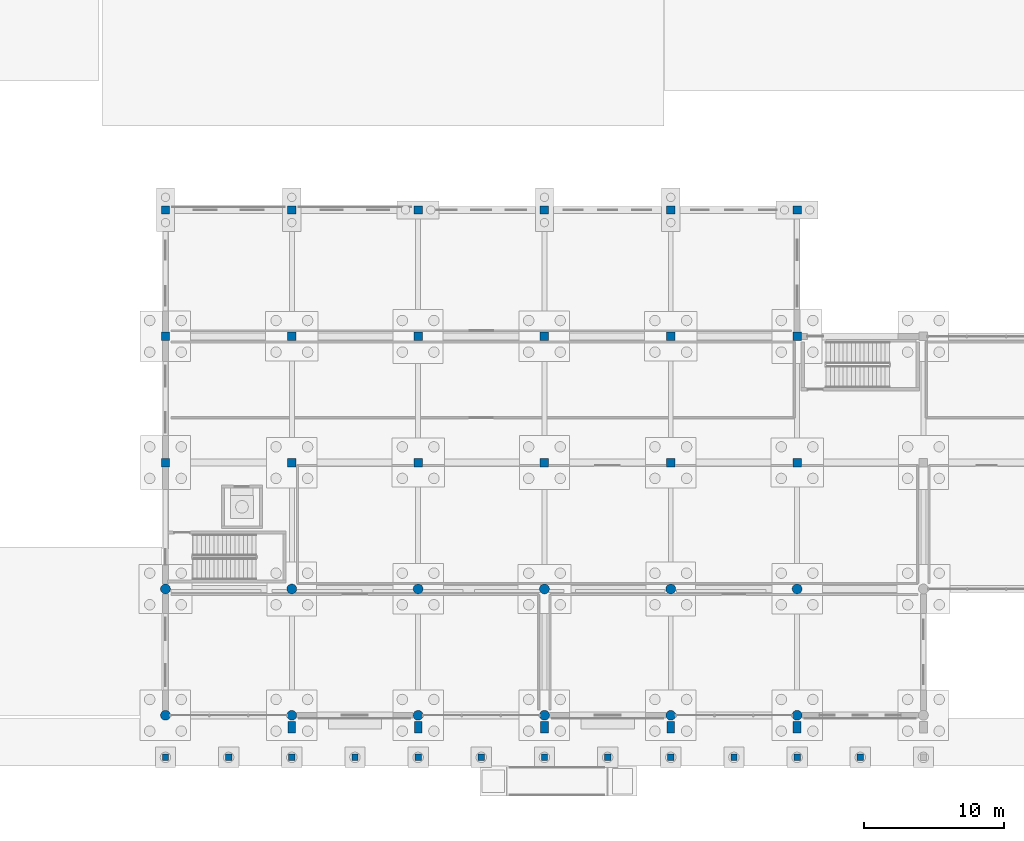
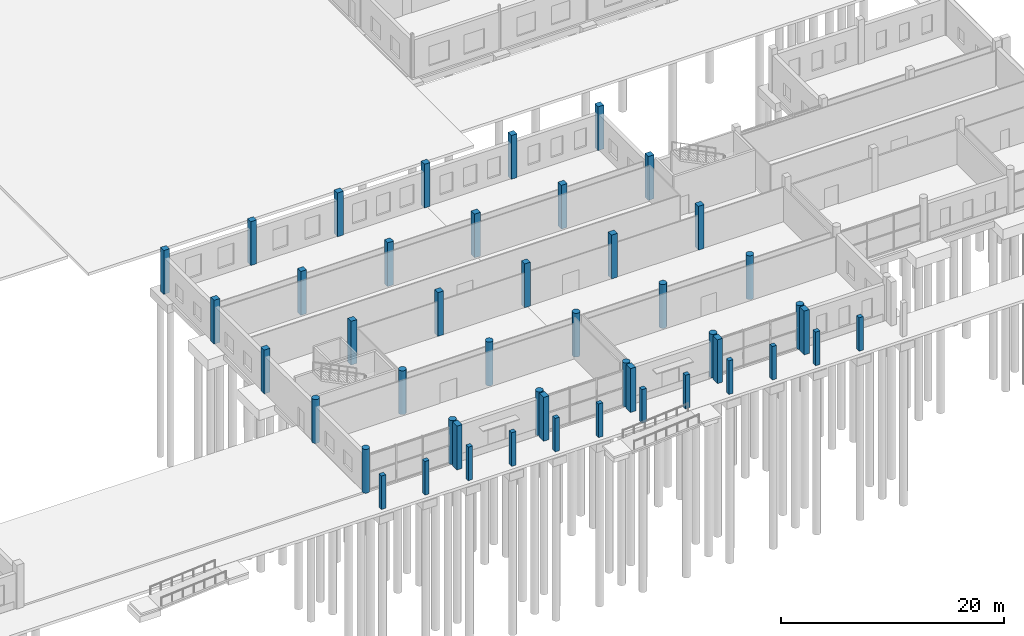
# One storey, part 30 of 112: 47 columns.
"""IFC4 building model written with IfcOpenShell, lengths in metres."""

from ifc_helpers import new_model, si_unit, direction, frame, origin, origin_2d, place, context, subcontext, project, spatial, rectangle, circle, extrude, material, material_profile, profile_set, type_object, element, save


model = new_model("IFC4")

# Units and contexts
model_context = context("Model", 3, precision=1e-05, world=origin(), true_north=direction((0.0, 1.0)))
body_context = subcontext(model_context, "Body", "Model", "MODEL_VIEW")
ifc_project = project(units=[si_unit("LENGTHUNIT", "METRE"), si_unit("AREAUNIT", "SQUARE_METRE"), si_unit("VOLUMEUNIT", "CUBIC_METRE"), si_unit("PLANEANGLEUNIT", "RADIAN"), si_unit("MASSUNIT", "GRAM", prefix="KILO")], contexts=[model_context])

# Site, building, storey
site_placement = place(None, origin())
site = spatial("IfcSite", under=ifc_project, at=site_placement, CompositionType="ELEMENT")
building_placement = place(site_placement, origin())
building = spatial("IfcBuilding", under=site, at=building_placement, Name="Tharagai Park Tramway Depot", CompositionType="ELEMENT")
storey_placement = place(building_placement, origin())
storey = spatial("IfcBuildingStorey", under=building, at=storey_placement, Name="L00", CompositionType="ELEMENT", Elevation=0.0)

# Columns
ifc_material = material(Name="Concrete M40", Category="concrete")
ifc_material_profile_1 = material_profile(ifc_material, circle(Radius=0.35009765625, at=origin_2d()), Name="RC D700")
ifc_profile_set_1 = profile_set([ifc_material_profile_1], Name="Concrete M40")
column_type_1 = type_object("IfcColumnType", Name="CL-03", PredefinedType="COLUMN", material=ifc_profile_set_1)
for number, where, z_axis, x_axis, name in (
    (1, (135.0, 0.0, 0.0), (0.0, 0.0, 1.0), (1.0, 0.0, 0.0), "L00 Structural Column CL-03 (135,0)"),
    (2, (135.0, 9.0, 0.0), (0.0, 0.0, 1.0), (1.0, 0.0, 0.0), "L00 Structural Column CL-03 (135,9)"),
    (3, (144.0, 0.0, 0.0), (0.0, 0.0, 1.0), (1.0, 0.0, 0.0), "L00 Structural Column CL-03 (144,0)"),
    (4, (144.0, 9.0, 0.0), (0.0, 0.0, 1.0), (1.0, 0.0, 0.0), "L00 Structural Column CL-03 (144,9)"),
    (5, (153.0, 0.0, 0.0), (0.0, 0.0, 1.0), (1.0, 0.0, 0.0), "L00 Structural Column CL-03 (153,0)"),
    (6, (153.0, 9.0, 0.0), (0.0, 0.0, 1.0), (1.0, 0.0, 0.0), "L00 Structural Column CL-03 (153,9)"),
    (7, (162.0, 0.0, 0.0), (0.0, 0.0, 1.0), (1.0, 0.0, 0.0), "L00 Structural Column CL-03 (162,0)"),
    (8, (162.0, 9.0, 0.0), (0.0, 0.0, 1.0), (1.0, 0.0, 0.0), "L00 Structural Column CL-03 (162,9)"),
    (9, (171.0, 0.0, 0.0), (0.0, 0.0, 1.0), (1.0, 0.0, 0.0), "L00 Structural Column CL-03 (171,0)"),
    (10, (171.0, 9.0, 0.0), (0.0, 0.0, 1.0), (1.0, 0.0, 0.0), "L00 Structural Column CL-03 (171,9)"),
    (11, (180.0, 0.0, 0.0), (0.0, 0.0, 1.0), (1.0, 0.0, 0.0), "L00 Structural Column CL-03 (180,0)"),
    (12, (180.0, 9.0, 0.0), (0.0, 0.0, 1.0), (1.0, 0.0, 0.0), "L00 Structural Column CL-03 (180,9)"),
):
    element("IfcColumn", number, at=place(storey_placement, frame(where, z_axis=z_axis, x_axis=x_axis)), inside=storey, type_object=column_type_1, Name=name, PredefinedType="COLUMN", context=body_context, shape_type="SweptSolid", body=[
        extrude(circle(Radius=0.35009765625, at=origin_2d()), origin(), (0.0, 0.0, 1.0), 4.800048828125),
    ])
ifc_material_profile_2 = material_profile(ifc_material, rectangle(XDim=0.60009765625, YDim=0.60009765625, at=origin_2d()), Name="RC 600x600")
ifc_profile_set_2 = profile_set([ifc_material_profile_2], Name="Concrete M40")
column_type_2 = type_object("IfcColumnType", Name="CL-16", PredefinedType="COLUMN", material=ifc_profile_set_2)
for number, where, z_axis, x_axis, name in (
    (13, (135.0, 18.0, 0.0), (0.0, 0.0, 1.0), (1.0, 0.0, 0.0), "L00 Structural Column CL-16 (135,18)"),
    (14, (135.0, 27.0, 0.0), (0.0, 0.0, 1.0), (1.0, 0.0, 0.0), "L00 Structural Column CL-16 (135,27)"),
    (15, (135.0, 36.0, 0.0), (0.0, 0.0, 1.0), (1.0, 0.0, 0.0), "L00 Structural Column CL-16 (135,36)"),
    (16, (144.0, 18.0, 0.0), (0.0, 0.0, 1.0), (1.0, 0.0, 0.0), "L00 Structural Column CL-16 (144,18)"),
    (17, (144.0, 27.0, 0.0), (0.0, 0.0, 1.0), (1.0, 0.0, 0.0), "L00 Structural Column CL-16 (144,27)"),
    (18, (144.0, 36.0, 0.0), (0.0, 0.0, 1.0), (1.0, 0.0, 0.0), "L00 Structural Column CL-16 (144,36)"),
    (19, (153.0, 18.0, 0.0), (0.0, 0.0, 1.0), (1.0, 0.0, 0.0), "L00 Structural Column CL-16 (153,18)"),
    (20, (153.0, 27.0, 0.0), (0.0, 0.0, 1.0), (1.0, 0.0, 0.0), "L00 Structural Column CL-16 (153,27)"),
    (21, (153.0, 36.0, 0.0), (0.0, 0.0, 1.0), (1.0, 0.0, 0.0), "L00 Structural Column CL-16 (153,36)"),
    (22, (162.0, 18.0, 0.0), (0.0, 0.0, 1.0), (1.0, 0.0, 0.0), "L00 Structural Column CL-16 (162,18)"),
    (23, (162.0, 27.0, 0.0), (0.0, 0.0, 1.0), (1.0, 0.0, 0.0), "L00 Structural Column CL-16 (162,27)"),
    (24, (162.0, 36.0, 0.0), (0.0, 0.0, 1.0), (1.0, 0.0, 0.0), "L00 Structural Column CL-16 (162,36)"),
    (25, (171.0, 18.0, 0.0), (0.0, 0.0, 1.0), (1.0, 0.0, 0.0), "L00 Structural Column CL-16 (171,18)"),
    (26, (171.0, 27.0, 0.0), (0.0, 0.0, 1.0), (1.0, 0.0, 0.0), "L00 Structural Column CL-16 (171,27)"),
    (27, (171.0, 36.0, 0.0), (0.0, 0.0, 1.0), (1.0, 0.0, 0.0), "L00 Structural Column CL-16 (171,36)"),
    (28, (180.0, 18.0, 0.0), (0.0, 0.0, 1.0), (1.0, 0.0, 0.0), "L00 Structural Column CL-16 (180,18)"),
    (29, (180.0, 27.0, 0.0), (0.0, 0.0, 1.0), (1.0, 0.0, 0.0), "L00 Structural Column CL-16 (180,27)"),
    (30, (180.0, 36.0, 0.0), (0.0, 0.0, 1.0), (1.0, 0.0, 0.0), "L00 Structural Column CL-16 (180,36)"),
):
    element("IfcColumn", number, at=place(storey_placement, frame(where, z_axis=z_axis, x_axis=x_axis)), inside=storey, type_object=column_type_2, Name=name, PredefinedType="COLUMN", context=body_context, shape_type="SweptSolid", body=[
        extrude(rectangle(XDim=0.60009765625, YDim=0.60009765625, at=origin_2d()), origin(), (0.0, 0.0, 1.0), 4.800048828125),
    ])
ifc_material_profile_3 = material_profile(ifc_material, rectangle(XDim=0.449951171875, YDim=0.449951171875, at=origin_2d()), Name="RC 450x450")
ifc_profile_set_3 = profile_set([ifc_material_profile_3], Name="Concrete M40")
column_type_3 = type_object("IfcColumnType", Name="CL-17", PredefinedType="COLUMN", material=ifc_profile_set_3)
for number, where, z_axis, x_axis, name in (
    (31, (135.0, -3.0, 0.0), (0.0, 0.0, 1.0), (1.0, 0.0, 0.0), "Gothic Park Cloister Pier CL-17"),
    (32, (139.5, -3.0, 0.0), (0.0, 0.0, 1.0), (1.0, 0.0, 0.0), "Gothic Park Cloister Pier CL-17"),
    (33, (144.0, -3.0, 0.0), (0.0, 0.0, 1.0), (1.0, 0.0, 0.0), "Gothic Park Cloister Pier CL-17"),
    (34, (148.5, -3.0, 0.0), (0.0, 0.0, 1.0), (1.0, 0.0, 0.0), "Gothic Park Cloister Pier CL-17"),
    (35, (153.0, -3.0, 0.0), (0.0, 0.0, 1.0), (1.0, 0.0, 0.0), "Gothic Park Cloister Pier CL-17"),
    (36, (157.5, -3.0, 0.0), (0.0, 0.0, 1.0), (1.0, 0.0, 0.0), "Gothic Park Cloister Pier CL-17"),
    (37, (162.0, -3.0, 0.0), (0.0, 0.0, 1.0), (1.0, 0.0, 0.0), "Gothic Park Cloister Pier CL-17"),
    (38, (166.5, -3.0, 0.0), (0.0, 0.0, 1.0), (1.0, 0.0, 0.0), "Gothic Park Cloister Pier CL-17"),
    (39, (171.0, -3.0, 0.0), (0.0, 0.0, 1.0), (1.0, 0.0, 0.0), "Gothic Park Cloister Pier CL-17"),
    (40, (175.5, -3.0, 0.0), (0.0, 0.0, 1.0), (1.0, 0.0, 0.0), "Gothic Park Cloister Pier CL-17"),
    (41, (180.0, -3.0, 0.0), (0.0, 0.0, 1.0), (1.0, 0.0, 0.0), "Gothic Park Cloister Pier CL-17"),
    (42, (184.5, -3.0, 0.0), (0.0, 0.0, 1.0), (1.0, 0.0, 0.0), "Gothic Park Cloister Pier CL-17"),
):
    element("IfcColumn", number, at=place(storey_placement, frame(where, z_axis=z_axis, x_axis=x_axis)), inside=storey, type_object=column_type_3, Name=name, PredefinedType="COLUMN", context=body_context, shape_type="SweptSolid", body=[
        extrude(rectangle(XDim=0.449951171875, YDim=0.449951171875, at=origin_2d()), origin(), (0.0, 0.0, 1.0), 3.679931640625),
    ])
ifc_material_profile_4 = material_profile(ifc_material, rectangle(XDim=0.550048828125, YDim=0.800048828125, at=origin_2d()), Name="RC 550x800")
ifc_profile_set_4 = profile_set([ifc_material_profile_4], Name="Concrete M40")
column_type_4 = type_object("IfcColumnType", Name="PL-02", PredefinedType="PILASTER", material=ifc_profile_set_4)
for number, where, z_axis, x_axis, name in (
    (43, (144.0, -0.85009765625, 0.0), (0.0, 0.0, 1.0), (1.0, 0.0, 0.0), "L00 Stepped Gothic Buttress PL-02 S5-144"),
    (44, (153.0, -0.85009765625, 0.0), (0.0, 0.0, 1.0), (1.0, 0.0, 0.0), "L00 Stepped Gothic Buttress PL-02 S5-153"),
    (45, (162.0, -0.85009765625, 0.0), (0.0, 0.0, 1.0), (1.0, 0.0, 0.0), "L00 Stepped Gothic Buttress PL-02 S5-162"),
    (46, (171.0, -0.85009765625, 0.0), (0.0, 0.0, 1.0), (1.0, 0.0, 0.0), "L00 Stepped Gothic Buttress PL-02 S5-171"),
    (47, (180.0, -0.85009765625, 0.0), (0.0, 0.0, 1.0), (1.0, 0.0, 0.0), "L00 Stepped Gothic Buttress PL-02 S5-180"),
):
    element("IfcColumn", number, at=place(storey_placement, frame(where, z_axis=z_axis, x_axis=x_axis)), inside=storey, type_object=column_type_4, Name=name, PredefinedType="PILASTER", context=body_context, shape_type="SweptSolid", body=[
        extrude(rectangle(XDim=0.550048828125, YDim=0.800048828125, at=origin_2d()), origin(), (0.0, 0.0, 1.0), 4.800048828125),
    ])

save(model, "model.ifc")
